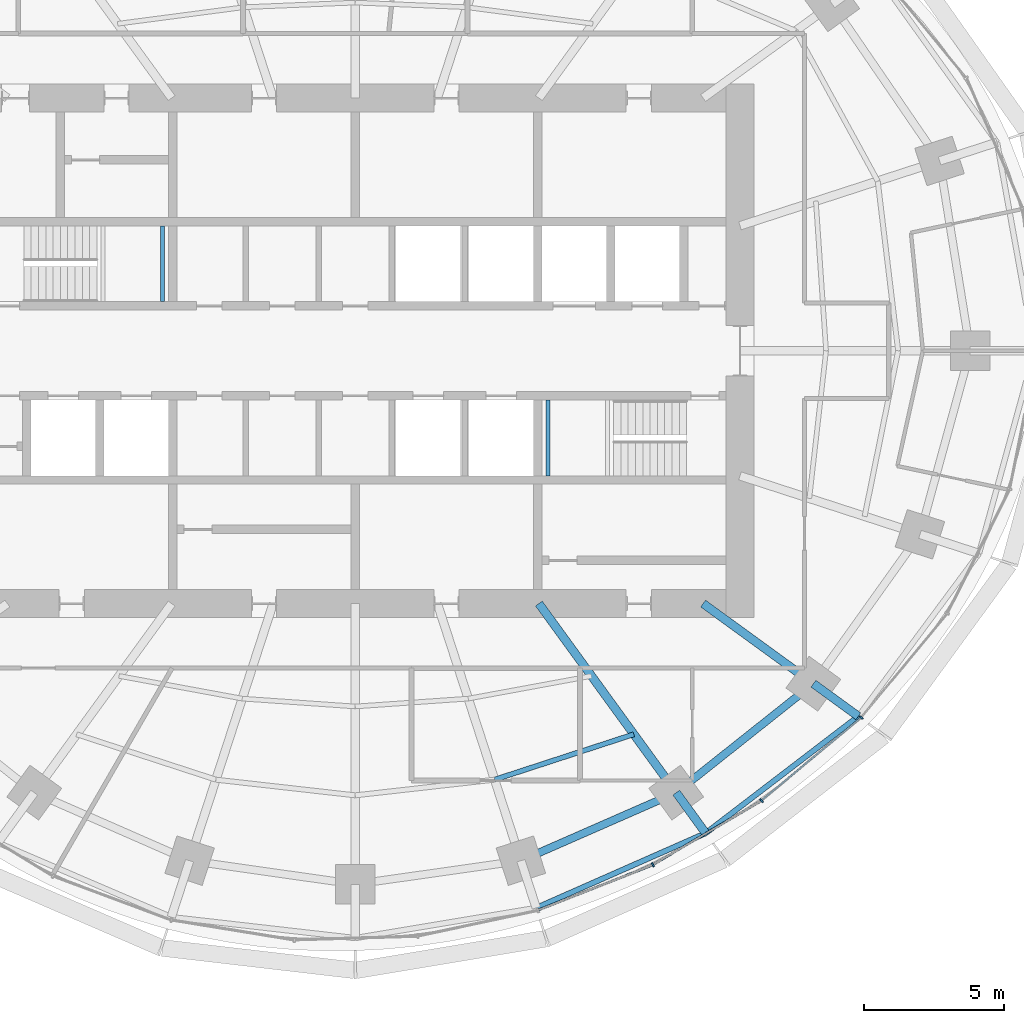
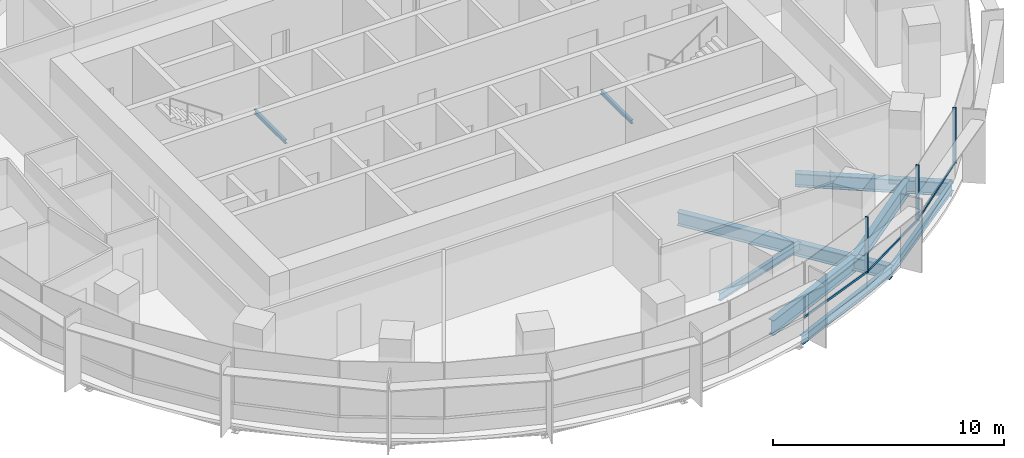
# One storey, part 5 of 14: 11 beams, 6 members, 2 elements without a shape of their own.
"""IFC4 building model written with IfcOpenShell, lengths in metres."""

from ifc_helpers import new_model, si_unit, direction, frame, origin, origin_2d, place, context, subcontext, project, spatial, rectangle, i_section, extrude, material, material_profile, profile_set, type_object, element, aggregate, save


model = new_model("IFC4")

# Units and contexts
model_context = context("Model", 3, precision=1e-05, world=origin(), true_north=direction((0.0, 1.0)))
body_context = subcontext(model_context, "Body", "Model", "MODEL_VIEW")
ifc_project = project(units=[si_unit("LENGTHUNIT", "METRE"), si_unit("AREAUNIT", "SQUARE_METRE"), si_unit("VOLUMEUNIT", "CUBIC_METRE"), si_unit("PLANEANGLEUNIT", "RADIAN"), si_unit("MASSUNIT", "GRAM", prefix="KILO")], contexts=[model_context])

# Site, building, storey
site_placement = place(None, origin())
site = spatial("IfcSite", under=ifc_project, at=site_placement, CompositionType="ELEMENT")
building_placement = place(site_placement, origin())
building = spatial("IfcBuilding", under=site, at=building_placement, Name="Marramba Exchange Tower", CompositionType="ELEMENT")
storey_placement = place(building_placement, frame((0.0, 0.0, 179.89990234375)))
storey = spatial("IfcBuildingStorey", under=building, at=storey_placement, Name="L43", CompositionType="ELEMENT", Elevation=179.89990234375)

# Beams
ifc_material_1 = material(Name="Steel AS/NZS 3679.2 grade 300", Category="steel")
ifc_material_profile_1 = material_profile(ifc_material_1, i_section(OverallWidth=0.300048828125, OverallDepth=0.699951171875, WebThickness=0.010009765625, FlangeThickness=0.031982421875, at=origin_2d()), Name="700WB173")
ifc_profile_set_1 = profile_set([ifc_material_profile_1], Name="Steel AS/NZS 3679.2 grade 300")
beam_type_1 = type_object("IfcBeamType", Name="Cantilever girder 700WB173", PredefinedType="BEAM", material=ifc_profile_set_1)
beam_1_placement = place(storey_placement, frame((11.430419921875, -15.732666015625, -0.510009765625), z_axis=(0.58783009415, -0.808984412959, 0.0), x_axis=(0.808984412959, 0.58783009415, 0.0)))
element("IfcBeam", 1, at=beam_1_placement, inside=storey, type_object=beam_type_1, Name="Cantilever girder L43 TC18", PredefinedType="BEAM", context=body_context, shape_type="SweptSolid", body=[
    extrude(i_section(OverallWidth=0.300048828125, OverallDepth=0.699951171875, WebThickness=0.010009765625, FlangeThickness=0.031982421875, at=origin_2d()), origin(), (0.0, 0.0, 1.0), 1.78515625),
])
beam_2_placement = place(storey_placement, frame((16.3154296875, -11.853759765625, -0.510009765625), z_axis=(0.808970801893, -0.587848825537, 0.0), x_axis=(0.587848825537, 0.808970801893, 0.0)))
element("IfcBeam", 2, at=beam_2_placement, inside=storey, type_object=beam_type_1, Name="Cantilever girder L43 TC19", PredefinedType="BEAM", context=body_context, shape_type="SweptSolid", body=[
    extrude(i_section(OverallWidth=0.300048828125, OverallDepth=0.699951171875, WebThickness=0.010009765625, FlangeThickness=0.031982421875, at=origin_2d()), origin(), (0.0, 0.0, 1.0), 1.978515625),
])
ifc_material_2 = material(Name="Steel AS/NZS 3679.1 grade 300", Category="steel")
ifc_material_profile_2 = material_profile(ifc_material_2, i_section(OverallWidth=0.177978515625, OverallDepth=0.406005859375, WebThickness=0.0078125, FlangeThickness=0.0126953125, FilletRadius=0.011474609375, at=origin_2d()), Name="410UB59.7")
ifc_profile_set_2 = profile_set([ifc_material_profile_2], Name="Steel AS/NZS 3679.1 grade 300")
beam_type_2 = type_object("IfcBeamType", Name="Floor joist 410UB59.7", PredefinedType="JOIST", material=ifc_profile_set_2)
beam_3_placement = place(storey_placement, frame((4.9619140625, -15.271484375, -0.36279296875), z_axis=(0.950764024931, 0.309915744834, 0.0), x_axis=(-0.309915744834, 0.950764024931, 0.0)))
element("IfcBeam", 3, at=beam_3_placement, inside=storey, type_object=beam_type_2, Name="Joist L43 bay 17 row 2", PredefinedType="JOIST", context=body_context, shape_type="SweptSolid", body=[
    extrude(i_section(OverallWidth=0.177978515625, OverallDepth=0.406005859375, WebThickness=0.0078125, FlangeThickness=0.0126953125, FilletRadius=0.011474609375, at=origin_2d()), origin(), (0.0, 0.0, 1.0), 5.2158203125),
])

# Curtain wall, members
ifc_material_3 = material(Name="Aluminium framing, bronze anodised", Category="aluminium")
curtain_wall_type = type_object("IfcCurtainWallType", Name="Office ribbon curtain wall", PredefinedType="USERDEFINED", material=ifc_material_3)
curtain_wall_1_placement = place(storey_placement, origin())
curtain_wall_1 = element("IfcCurtainWall", 4, at=curtain_wall_1_placement, inside=storey, type_object=curtain_wall_type, Name="Curtain wall CW4 L43 F26-F30", ObjectType="RIBBON CURTAIN WALL", PredefinedType="USERDEFINED")
ifc_material_4 = material(Name="Aluminium mullion, bronze anodised", Category="aluminium")
ifc_material_profile_3 = material_profile(ifc_material_4, rectangle(XDim=0.159912109375, YDim=0.06005859375, at=origin_2d()), Name="CW4 mullion 60x160")
ifc_profile_set_3 = profile_set([ifc_material_profile_3], Name="Aluminium mullion, bronze anodised")
member_type_1 = type_object("IfcMemberType", Name="Office ribbon curtain wall mullion", PredefinedType="MULLION", material=ifc_profile_set_3)
member_1_placement = place(storey_placement, frame((10.60009765625, -18.2998046875, 0.800048828125), z_axis=(0.0, 0.0, 1.0), x_axis=(-0.508010571686, 0.861350833897, 0.0)))
member_1 = element("IfcMember", 5, at=member_1_placement, type_object=member_type_1, Name="CW4 mullion 1", PredefinedType="MULLION", context=body_context, shape_type="SweptSolid", body=[
    extrude(rectangle(XDim=0.159912109375, YDim=0.06005859375, at=origin_2d()), origin(), (0.0, 0.0, 1.0), 2.93994140625),
])
member_2_placement = place(storey_placement, frame((14.461669921875, -16.0166015625, 0.800048828125), z_axis=(0.0, 0.0, 1.0), x_axis=(-0.639565270127, 0.768736798421, 0.0)))
member_2 = element("IfcMember", 6, at=member_2_placement, type_object=member_type_1, Name="CW4 mullion 1", PredefinedType="MULLION", context=body_context, shape_type="SweptSolid", body=[
    extrude(rectangle(XDim=0.159912109375, YDim=0.06005859375, at=origin_2d()), origin(), (0.0, 0.0, 1.0), 2.93994140625),
])
member_3_placement = place(storey_placement, frame((18.01611328125, -13.052490234375, 0.800048828125), z_axis=(0.0, 0.0, 1.0), x_axis=(-0.769912069289, 0.63814998673, 0.0)))
member_3 = element("IfcMember", 7, at=member_3_placement, type_object=member_type_1, Name="CW4 mullion 1", PredefinedType="MULLION", context=body_context, shape_type="SweptSolid", body=[
    extrude(rectangle(XDim=0.159912109375, YDim=0.06005859375, at=origin_2d()), origin(), (0.0, 0.0, 1.0), 2.93994140625),
])

# Curtain wall, member
curtain_wall_2_placement = place(storey_placement, origin())
curtain_wall_2 = element("IfcCurtainWall", 8, at=curtain_wall_2_placement, inside=storey, type_object=curtain_wall_type, Name="Curtain wall CW4 L43 F21-F25", ObjectType="RIBBON CURTAIN WALL", PredefinedType="USERDEFINED")
ifc_material_5 = material(Name="Aluminium transom, bronze anodised", Category="aluminium")
ifc_material_profile_4 = material_profile(ifc_material_5, rectangle(XDim=0.06005859375, YDim=0.1201171875, at=origin_2d()), Name="CW4 transom 60x120")
ifc_profile_set_4 = profile_set([ifc_material_profile_4], Name="Aluminium transom, bronze anodised")
member_type_2 = type_object("IfcMemberType", Name="Office ribbon curtain wall transom", PredefinedType="USERDEFINED", material=ifc_profile_set_4)
member_4_placement = place(storey_placement, frame((6.53271484375, -19.911376953125, 0.830078125), z_axis=(0.930068344217, 0.367386547229, 0.0), x_axis=(-0.367386547229, 0.930068344217, 0.0)))
member_4 = element("IfcMember", 9, at=member_4_placement, type_object=member_type_2, Name="CW4 sill transom", ObjectType="TRANSOM", PredefinedType="USERDEFINED", context=body_context, shape_type="SweptSolid", body=[
    extrude(rectangle(XDim=0.06005859375, YDim=0.1201171875, at=origin_2d()), origin(), (0.0, 0.0, 1.0), 4.345458984375),
])
aggregate(curtain_wall_2, [member_4])

# Member
member_5_placement = place(storey_placement, frame((10.6259765625, -18.28466796875, 0.830078125), z_axis=(0.861342387959, 0.508024891816, 0.0), x_axis=(-0.508024891816, 0.861342387959, 0.0)))
member_5 = element("IfcMember", 10, at=member_5_placement, type_object=member_type_2, Name="CW4 sill transom", ObjectType="TRANSOM", PredefinedType="USERDEFINED", context=body_context, shape_type="SweptSolid", body=[
    extrude(rectangle(XDim=0.06005859375, YDim=0.1201171875, at=origin_2d()), origin(), (0.0, 0.0, 1.0), 4.426513671875),
])

member_6_placement = place(storey_placement, frame((14.48486328125, -15.99755859375, 0.830078125), z_axis=(0.768707257272, 0.639600775967, 0.0), x_axis=(-0.639600775967, 0.768707257272, 0.0)))
member_6 = element("IfcMember", 11, at=member_6_placement, type_object=member_type_2, Name="CW4 sill transom", ObjectType="TRANSOM", PredefinedType="USERDEFINED", context=body_context, shape_type="SweptSolid", body=[
    extrude(rectangle(XDim=0.06005859375, YDim=0.1201171875, at=origin_2d()), origin(), (0.0, 0.0, 1.0), 4.568603515625),
])

aggregate(curtain_wall_1, [member_1, member_5, member_2, member_6, member_3])

# Beams
ifc_material_profile_5 = material_profile(ifc_material_1, i_section(OverallWidth=0.300048828125, OverallDepth=0.699951171875, WebThickness=0.010009765625, FlangeThickness=0.031982421875, at=origin_2d()), Name="700WB173")
ifc_profile_set_5 = profile_set([ifc_material_profile_5], Name="Steel AS/NZS 3679.2 grade 300")
beam_type_3 = type_object("IfcBeamType", Name="Radial girder 700WB173", PredefinedType="BEAM", material=ifc_profile_set_5)
beam_4_placement = place(storey_placement, frame((6.538818359375, -9.0, -0.510009765625), z_axis=(0.587787877172, -0.809015087282, 0.0), x_axis=(0.809015087282, 0.587787877172, 0.0)))
element("IfcBeam", 12, at=beam_4_placement, inside=storey, type_object=beam_type_3, Name="Radial girder L43 TC18", PredefinedType="BEAM", context=body_context, shape_type="SweptSolid", body=[
    extrude(i_section(OverallWidth=0.300048828125, OverallDepth=0.699951171875, WebThickness=0.010009765625, FlangeThickness=0.031982421875, at=origin_2d()), origin(), (0.0, 0.0, 1.0), 8.322021484375),
])
beam_5_placement = place(storey_placement, frame((12.387451171875, -9.0, -0.510009765625), z_axis=(0.809025189606, -0.58777397236, 0.0), x_axis=(0.58777397236, 0.809025189606, 0.0)))
element("IfcBeam", 13, at=beam_5_placement, inside=storey, type_object=beam_type_3, Name="Radial girder L43 TC19", PredefinedType="BEAM", context=body_context, shape_type="SweptSolid", body=[
    extrude(i_section(OverallWidth=0.300048828125, OverallDepth=0.699951171875, WebThickness=0.010009765625, FlangeThickness=0.031982421875, at=origin_2d()), origin(), (0.0, 0.0, 1.0), 4.855224609375),
])
ifc_material_profile_6 = material_profile(ifc_material_1, i_section(OverallWidth=0.27490234375, OverallDepth=0.800048828125, WebThickness=0.010009765625, FlangeThickness=0.02490234375, at=origin_2d()), Name="800WB168")
ifc_profile_set_6 = profile_set([ifc_material_profile_6], Name="Steel AS/NZS 3679.2 grade 300")
beam_type_4 = type_object("IfcBeamType", Name="Ring beam 800WB168", PredefinedType="SPANDREL", material=ifc_profile_set_6)
beam_6_placement = place(storey_placement, frame((5.899658203125, -18.156982421875, -0.559814453125), z_axis=(0.915876892158, 0.4014592363, 0.0), x_axis=(-0.4014592363, 0.915876892158, 0.0)))
element("IfcBeam", 14, at=beam_6_placement, inside=storey, type_object=beam_type_4, Name="Ring beam L43 TC17-TC18", PredefinedType="SPANDREL", context=body_context, shape_type="SweptSolid", body=[
    extrude(i_section(OverallWidth=0.27490234375, OverallDepth=0.800048828125, WebThickness=0.010009765625, FlangeThickness=0.02490234375, at=origin_2d()), origin(), (0.0, 0.0, 1.0), 6.038818359375),
])
beam_7_placement = place(storey_placement, frame((11.430419921875, -15.732666015625, -0.559814453125), z_axis=(0.783139438128, 0.621846138887, 0.0), x_axis=(-0.621846138887, 0.783139438128, 0.0)))
element("IfcBeam", 15, at=beam_7_placement, inside=storey, type_object=beam_type_4, Name="Ring beam L43 TC18-TC19", PredefinedType="SPANDREL", context=body_context, shape_type="SweptSolid", body=[
    extrude(i_section(OverallWidth=0.27490234375, OverallDepth=0.800048828125, WebThickness=0.010009765625, FlangeThickness=0.02490234375, at=origin_2d()), origin(), (0.0, 0.0, 1.0), 6.23779296875),
])
ifc_material_profile_7 = material_profile(ifc_material_2, i_section(OverallWidth=0.19091796875, OverallDepth=0.4599609375, WebThickness=0.010009765625, FlangeThickness=0.01611328125, FilletRadius=0.011474609375, at=origin_2d()), Name="460UB82.1")
ifc_profile_set_7 = profile_set([ifc_material_profile_7], Name="Steel AS/NZS 3679.1 grade 300")
beam_type_5 = type_object("IfcBeamType", Name="Slab edge beam 460UB82.1", PredefinedType="SPANDREL", material=ifc_profile_set_7)
beam_8_placement = place(storey_placement, frame((6.44580078125, -19.83837890625, -0.389892578125), z_axis=(0.914940719579, 0.403588255102, 0.0), x_axis=(-0.403588255102, 0.914940719579, 0.0)))
element("IfcBeam", 16, at=beam_8_placement, inside=storey, type_object=beam_type_5, Name="Slab edge beam L43 TC17-TC18", PredefinedType="SPANDREL", context=body_context, shape_type="SweptSolid", body=[
    extrude(i_section(OverallWidth=0.19091796875, OverallDepth=0.4599609375, WebThickness=0.010009765625, FlangeThickness=0.01611328125, FilletRadius=0.011474609375, at=origin_2d()), origin(), (0.0, 0.0, 1.0), 6.594970703125),
])
beam_9_placement = place(storey_placement, frame((12.479736328125, -17.1767578125, -0.389892578125), z_axis=(0.794163423189, 0.607704251481, 0.0), x_axis=(-0.607704251481, 0.794163423189, 0.0)))
element("IfcBeam", 17, at=beam_9_placement, inside=storey, type_object=beam_type_5, Name="Slab edge beam L43 TC18-TC19", PredefinedType="SPANDREL", context=body_context, shape_type="SweptSolid", body=[
    extrude(i_section(OverallWidth=0.19091796875, OverallDepth=0.4599609375, WebThickness=0.010009765625, FlangeThickness=0.01611328125, FilletRadius=0.011474609375, at=origin_2d()), origin(), (0.0, 0.0, 1.0), 6.84521484375),
])
ifc_material_profile_8 = material_profile(ifc_material_2, i_section(OverallWidth=0.133056640625, OverallDepth=0.202880859375, WebThickness=0.005859375, FlangeThickness=0.0078125, FilletRadius=0.0087890625, at=origin_2d()), Name="200UB25.4")
ifc_profile_set_8 = profile_set([ifc_material_profile_8], Name="Steel AS/NZS 3679.1 grade 300")
beam_type_6 = type_object("IfcBeamType", Name="Stair landing beam 200UB25.4", PredefinedType="BEAM", material=ifc_profile_set_8)
for number, where, z_axis, x_axis, name in (
    (18, (-6.866455078125, 1.75, 1.648681640625), (0.0, 1.0, 0.0), (-1.0, 0.0, 0.0), "Stair landing beam SLB1 ST1 L43 2"),
    (19, (6.866455078125, -4.449951171875, 1.648681640625), (0.0, 1.0, 0.0), (-1.0, 0.0, 0.0), "Stair landing beam SLB1 ST2 L43 1"),
):
    element("IfcBeam", number, at=place(storey_placement, frame(where, z_axis=z_axis, x_axis=x_axis)), inside=storey, type_object=beam_type_6, Name=name, PredefinedType="BEAM", context=body_context, shape_type="SweptSolid", body=[
        extrude(i_section(OverallWidth=0.133056640625, OverallDepth=0.202880859375, WebThickness=0.005859375, FlangeThickness=0.0078125, FilletRadius=0.0087890625, at=origin_2d()), origin(), (0.0, 0.0, 1.0), 2.699951171875),
    ])

save(model, "model.ifc")
